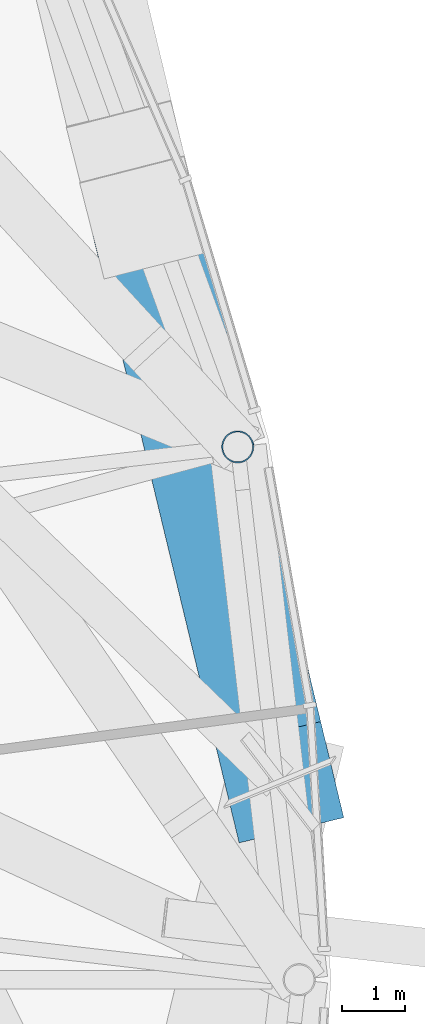
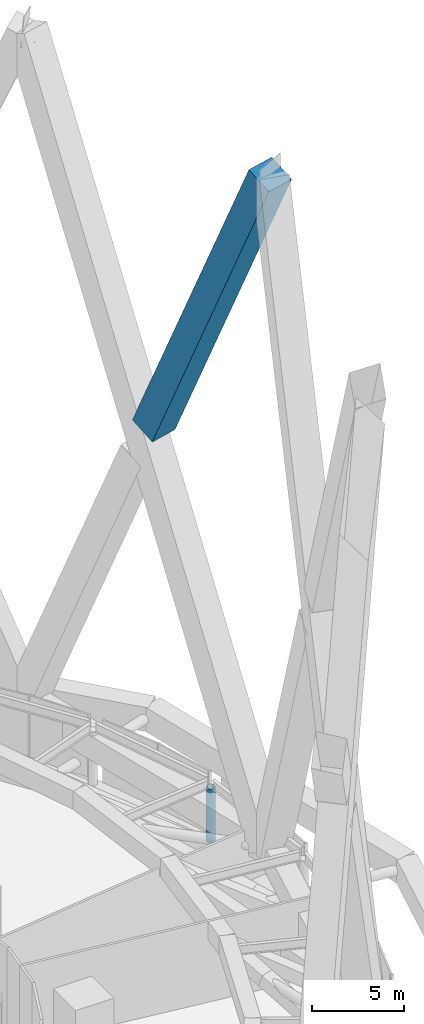
# One storey, part 27 of 51: 2 members.
"""IFC4 building model written with IfcOpenShell, lengths in metres."""

from ifc_helpers import new_model, si_unit, direction, frame, origin, origin_2d, place, context, subcontext, project, spatial, rectangle, hollow_circle, extrude, material, material_profile, profile_set, type_object, element, save


model = new_model("IFC4")

# Units and contexts
model_context = context("Model", 3, precision=1e-05, world=origin(), true_north=direction((0.0, 1.0)))
body_context = subcontext(model_context, "Body", "Model", "MODEL_VIEW")
ifc_project = project(units=[si_unit("LENGTHUNIT", "METRE"), si_unit("AREAUNIT", "SQUARE_METRE"), si_unit("VOLUMEUNIT", "CUBIC_METRE"), si_unit("PLANEANGLEUNIT", "RADIAN"), si_unit("MASSUNIT", "GRAM", prefix="KILO")], contexts=[model_context])

# Site, building, storey
site_placement = place(None, origin())
site = spatial("IfcSite", under=ifc_project, at=site_placement, CompositionType="ELEMENT")
building_placement = place(site_placement, origin())
building = spatial("IfcBuilding", under=site, at=building_placement, Name="Nagisa Residences", CompositionType="ELEMENT")
storey_placement = place(building_placement, frame((0.0, 0.0, 67.699951171875)))
storey = spatial("IfcBuildingStorey", under=building, at=storey_placement, Name="L16", CompositionType="ELEMENT", Elevation=67.699951171875)

# Members
ifc_material_1 = material(Name="Concrete C80", Category="concrete")
ifc_material_profile_1 = material_profile(ifc_material_1, rectangle(XDim=1.699951171875, YDim=1.699951171875, at=origin_2d()), Name="C80 1700x1700")
ifc_profile_set_1 = profile_set([ifc_material_profile_1], Name="Concrete C80")
member_type_1 = type_object("IfcMemberType", Name="Cage diagonal 2 C80 1700x1700", PredefinedType="BRACE", material=ifc_profile_set_1)
member_1_placement = place(storey_placement, frame((29.651123046875, 12.029052734375, 27.00244140625), z_axis=(0.092828376876, -0.385870468551, 0.91787083729), x_axis=(0.972261675328, 0.233895777405, 0.0)))
element("IfcMember", 1, at=member_1_placement, inside=storey, type_object=member_type_1, Name="mem:L16:cg2d002b", PredefinedType="BRACE", context=body_context, shape_type="SweptSolid", body=[
    extrude(rectangle(XDim=1.699951171875, YDim=1.699951171875, at=origin_2d()), origin(), (0.0, 0.0, 1.0), 23.09423828125),
])
ifc_material_2 = material(Name="Steel ASTM A572 Gr 65", Category="steel")
ifc_material_profile_2 = material_profile(ifc_material_2, hollow_circle(Radius=0.25390625, WallThickness=0.02001953125, at=origin_2d()), Name="CHS 508x20")
ifc_profile_set_2 = profile_set([ifc_material_profile_2], Name="Steel ASTM A572 Gr 65")
member_type_2 = type_object("IfcMemberType", Name="Garden edge post CHS 508x20", PredefinedType="POST", material=ifc_profile_set_2)
member_2_placement = place(storey_placement, frame((31.12890625, 8.41162109375, 1.199951171875), z_axis=(0.0, 0.0, 1.0), x_axis=(1.0, 0.0, 0.0)))
element("IfcMember", 2, at=member_2_placement, inside=storey, type_object=member_type_2, Name="mem:L16:gp102", PredefinedType="POST", context=body_context, shape_type="SweptSolid", body=[
    extrude(hollow_circle(Radius=0.25390625, WallThickness=0.02001953125, at=origin_2d()), origin(), (0.0, 0.0, 1.0), 3.537109375),
])

save(model, "model.ifc")
